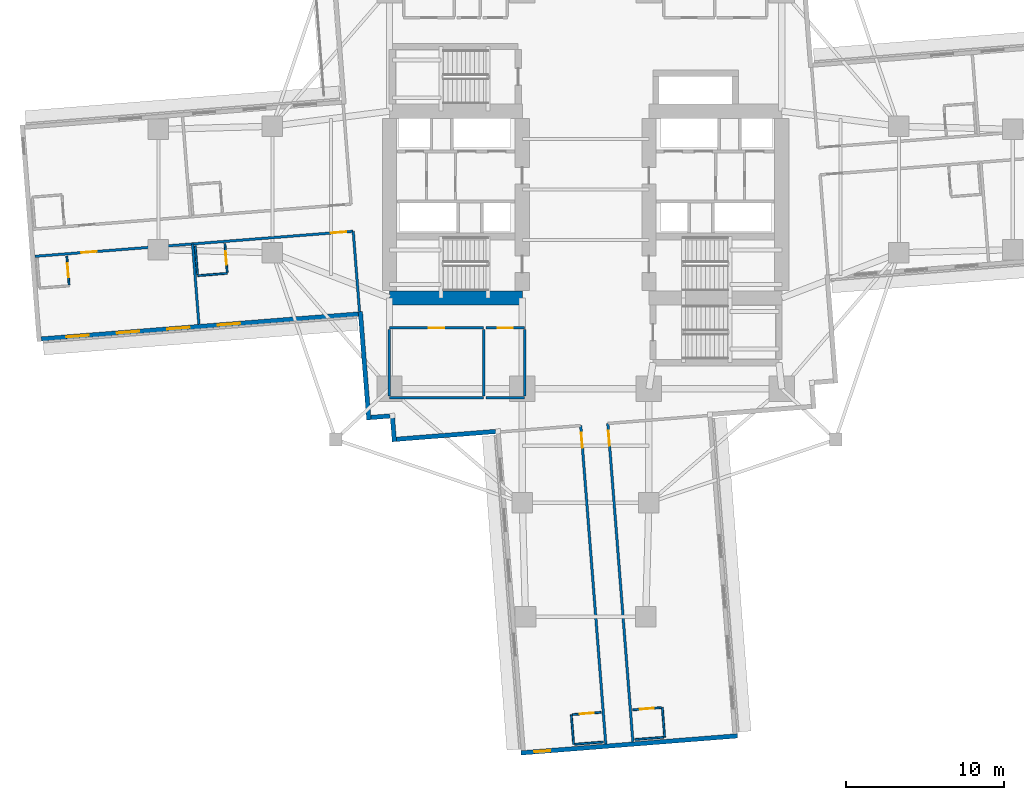
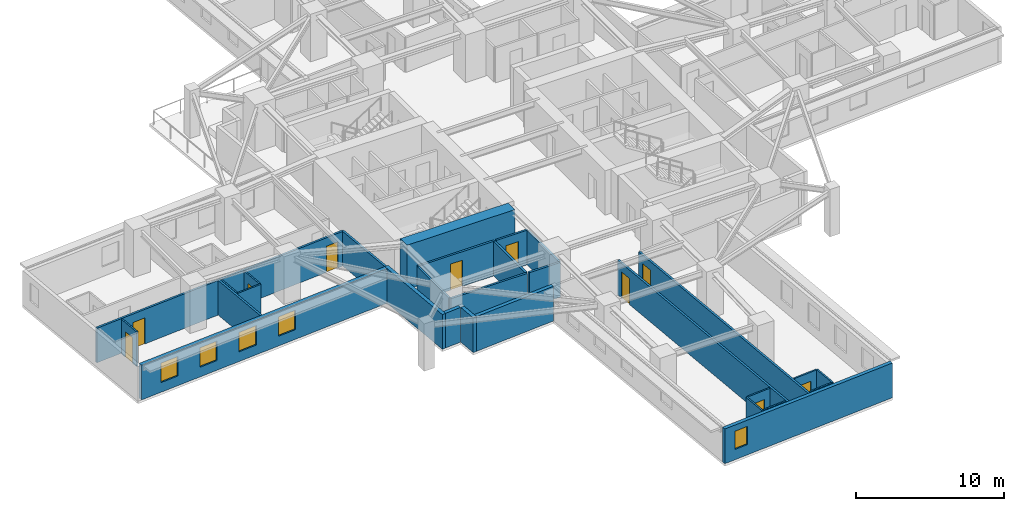
# One storey, part 3 of 13: 29 walls, 10 doors, 5 windows, 15 openings.
"""IFC4 building model written with IfcOpenShell, lengths in metres."""

from ifc_helpers import new_model, si_unit, direction, frame, frame_2d, origin, place, context, subcontext, project, spatial, rectangle, extrude, material, layer, layer_set, type_object, element, fill, save


model = new_model("IFC4")

# Units and contexts
model_context = context("Model", 3, precision=1e-05, world=origin(), true_north=direction((0.0, 1.0)))
body_context = subcontext(model_context, "Body", "Model", "MODEL_VIEW")
ifc_project = project(units=[si_unit("LENGTHUNIT", "METRE"), si_unit("AREAUNIT", "SQUARE_METRE"), si_unit("VOLUMEUNIT", "CUBIC_METRE"), si_unit("PLANEANGLEUNIT", "RADIAN"), si_unit("MASSUNIT", "GRAM", prefix="KILO")], contexts=[model_context])

# Site, building, storey
site_placement = place(None, origin())
site = spatial("IfcSite", under=ifc_project, at=site_placement, CompositionType="ELEMENT")
building_placement = place(site_placement, origin())
building = spatial("IfcBuilding", under=site, at=building_placement, Name="Qingluan Cross Belvedere", CompositionType="ELEMENT")
storey_placement = place(building_placement, frame((0.0, 0.0, 43.199951171875)))
storey = spatial("IfcBuildingStorey", under=building, at=storey_placement, Name="L11", CompositionType="ELEMENT", Elevation=43.199951171875)

# Walls
ifc_material_1 = material(Name="Concrete C70", Category="concrete")
ifc_layer_1 = layer(ifc_material_1, 0.89990234375, Name="CoreShearWall_900")
ifc_layer_set_1 = layer_set([ifc_layer_1], Name="Concrete C70")
wall_type_1 = type_object("IfcWallType", Name="CoreShearWall_900", PredefinedType="SHEAR", material=ifc_layer_set_1)
wall_1_placement = place(storey_placement, frame((-12.39990234375, -6.85009765625, 0.0), z_axis=(0.0, 0.0, 1.0), x_axis=(1.0, 0.0, 0.0)))
element("IfcWall", 1, at=wall_1_placement, inside=storey, type_object=wall_type_1, Name="Split core W shear wall L11-S", PredefinedType="SHEAR", context=body_context, shape_type="SweptSolid", body=[
    extrude(rectangle(XDim=8.39990234375, YDim=0.89990234375, at=frame_2d((4.199951171875, 0.0))), origin(), (0.0, 0.0, 1.0), 3.650146484375),
])
ifc_material_2 = material(Name="Gypsum plasterboard on steel stud acoustic partition", Category="steel")
ifc_layer_2 = layer(ifc_material_2, 0.159912109375, Name="CorridorPartition_160")
ifc_layer_set_2 = layer_set([ifc_layer_2], Name="Gypsum plasterboard on steel stud acoustic partition")
wall_type_2 = type_object("IfcWallType", Name="CorridorPartition_160", PredefinedType="PARTITIONING", material=ifc_layer_set_2)
wall_2_placement = place(storey_placement, frame((-12.39990234375, -13.14990234375, 0.0), z_axis=(0.0, 0.0, 1.0), x_axis=(1.0, 0.0, 0.0)))
element("IfcWall", 2, at=wall_2_placement, inside=storey, type_object=wall_type_2, Name="Partition L11:q_sw1:S", PredefinedType="PARTITIONING", context=body_context, shape_type="SweptSolid", body=[
    extrude(rectangle(XDim=5.949951171875, YDim=0.159912109375, at=frame_2d((2.97509765625, 0.0))), origin(), (0.0, 0.0, 1.0), 2.85009765625),
])

# Wall, opening, door
wall_3_placement = place(storey_placement, frame((-12.39990234375, -8.75, 0.0), z_axis=(0.0, 0.0, 1.0), x_axis=(1.0, 0.0, 0.0)))
wall_3 = element("IfcWall", 3, at=wall_3_placement, inside=storey, type_object=wall_type_2, Name="Partition L11:q_sw1:N", PredefinedType="PARTITIONING", context=body_context, shape_type="SweptSolid", body=[
    extrude(rectangle(XDim=5.949951171875, YDim=0.159912109375, at=frame_2d((2.97509765625, 0.0))), origin(), (0.0, 0.0, 1.0), 2.85009765625),
])
opening_1_placement = place(wall_3_placement, frame((2.4951171875, 0.0, 0.0)))
opening_1 = element("IfcOpeningElement", 4, at=opening_1_placement, cuts=wall_3, Name="Opening GD-10", PredefinedType="OPENING", context=body_context, shape_type="SweptSolid", body=[
    extrude(rectangle(XDim=0.9599609375, YDim=2.14990234375, at=frame_2d((0.47998046875, 1.074951171875))), frame((0.0, 0.08984375, 0.0), z_axis=(0.0, -1.0, 0.0), x_axis=(1.0, 0.0, 0.0)), (0.0, 0.0, 1.0), 0.179931640625),
])
ifc_material_3 = material(Name="Timber oak fire-rated acoustic guestroom door", Category="wood")
door_type_1 = type_object("IfcDoorType", Name="GuestEntryDoor_FD60", OperationType="NOTDEFINED", PredefinedType="DOOR", material=ifc_material_3)
door_1_placement = place(opening_1_placement, origin())
door_1 = element("IfcDoor", 5, at=door_1_placement, inside=storey, type_object=door_type_1, Name="Private boardroom suite L11 door", OperationType="SINGLE_SWING_LEFT", OverallHeight=2.14990234375, OverallWidth=0.9599609375, PredefinedType="DOOR", context=body_context, shape_type="SweptSolid", body=[
    extrude(rectangle(XDim=0.9599609375, YDim=2.14990234375, at=frame_2d((0.47998046875, 1.074951171875))), frame((0.0, 0.02490234375, 0.0), z_axis=(0.0, -1.0, 0.0), x_axis=(1.0, 0.0, 0.0)), (0.0, 0.0, 1.0), 0.050048828125),
])
fill(opening_1, door_1)

# Walls
for number, where, z_axis, x_axis, name in (
    (6, (-12.39990234375, -13.06494140625, 0.0), (0.0, 0.0, 1.0), (0.0, 1.0, 0.0), "Partition L11:q_sw1:W"),
    (7, (-6.449951171875, -13.06494140625, 0.0), (0.0, 0.0, 1.0), (0.0, 1.0, 0.0), "Partition L11:q_sw1:E"),
):
    element("IfcWall", number, at=place(storey_placement, frame(where, z_axis=z_axis, x_axis=x_axis)), inside=storey, type_object=wall_type_2, Name=name, PredefinedType="PARTITIONING", context=body_context, shape_type="SweptSolid", body=[
        extrude(rectangle(XDim=4.22998046875, YDim=0.159912109375, at=frame_2d((2.114990234375, 0.0))), origin(), (0.0, 0.0, 1.0), 2.85009765625),
    ])
wall_4_placement = place(storey_placement, frame((-6.2900390625, -13.14990234375, 0.0), z_axis=(0.0, 0.0, 1.0), x_axis=(1.0, 0.0, 0.0)))
element("IfcWall", 8, at=wall_4_placement, inside=storey, type_object=wall_type_2, Name="Partition L11:q_sw2:S", PredefinedType="PARTITIONING", context=body_context, shape_type="SweptSolid", body=[
    extrude(rectangle(XDim=2.43994140625, YDim=0.159912109375, at=frame_2d((1.219970703125, 0.0))), origin(), (0.0, 0.0, 1.0), 2.85009765625),
])

# Wall, opening, door
wall_5_placement = place(storey_placement, frame((-6.2900390625, -8.75, 0.0), z_axis=(0.0, 0.0, 1.0), x_axis=(1.0, 0.0, 0.0)))
wall_5 = element("IfcWall", 9, at=wall_5_placement, inside=storey, type_object=wall_type_2, Name="Partition L11:q_sw2:N", PredefinedType="PARTITIONING", context=body_context, shape_type="SweptSolid", body=[
    extrude(rectangle(XDim=2.43994140625, YDim=0.159912109375, at=frame_2d((1.219970703125, 0.0))), origin(), (0.0, 0.0, 1.0), 2.85009765625),
])
opening_2_placement = place(wall_5_placement, frame((0.739990234375, 0.0, 0.0)))
opening_2 = element("IfcOpeningElement", 10, at=opening_2_placement, cuts=wall_5, Name="Opening GD-10", PredefinedType="OPENING", context=body_context, shape_type="SweptSolid", body=[
    extrude(rectangle(XDim=0.9599609375, YDim=2.14990234375, at=frame_2d((0.47998046875, 1.074951171875))), frame((0.0, 0.08984375, 0.0), z_axis=(0.0, -1.0, 0.0), x_axis=(1.0, 0.0, 0.0)), (0.0, 0.0, 1.0), 0.179931640625),
])
door_2_placement = place(opening_2_placement, origin())
door_2 = element("IfcDoor", 11, at=door_2_placement, inside=storey, type_object=door_type_1, Name="Southwest reading room L11 door", OperationType="SINGLE_SWING_RIGHT", OverallHeight=2.14990234375, OverallWidth=0.9599609375, PredefinedType="DOOR", context=body_context, shape_type="SweptSolid", body=[
    extrude(rectangle(XDim=0.9599609375, YDim=2.14990234375, at=frame_2d((0.47998046875, 1.074951171875))), frame((0.0, 0.02490234375, 0.0), z_axis=(0.0, -1.0, 0.0), x_axis=(1.0, 0.0, 0.0)), (0.0, 0.0, 1.0), 0.050048828125),
])
fill(opening_2, door_2)

# Wall
wall_6_placement = place(storey_placement, frame((-3.85009765625, -13.06494140625, 0.0), z_axis=(0.0, 0.0, 1.0), x_axis=(0.0, 1.0, 0.0)))
element("IfcWall", 12, at=wall_6_placement, inside=storey, type_object=wall_type_2, Name="Partition L11:q_sw2:E", PredefinedType="PARTITIONING", context=body_context, shape_type="SweptSolid", body=[
    extrude(rectangle(XDim=4.22998046875, YDim=0.159912109375, at=frame_2d((2.114990234375, 0.0))), origin(), (0.0, 0.0, 1.0), 2.85009765625),
])

# Wall, openings, doors
wall_7_placement = place(storey_placement, frame((-14.68798828125, -2.640625, 0.0), z_axis=(0.0, 0.0, 1.0), x_axis=(-0.996917226209, -0.078460461943, 0.0)))
wall_7 = element("IfcWall", 13, at=wall_7_placement, inside=storey, type_object=wall_type_2, Name="Partition L11:W:c1", PredefinedType="PARTITIONING", context=body_context, shape_type="SweptSolid", body=[
    extrude(rectangle(XDim=20.18212890625, YDim=0.159912109375, at=frame_2d((10.091064453125, 0.0))), origin(), (0.0, 0.0, 1.0), 2.85009765625),
])
opening_3_placement = place(wall_7_placement, frame((0.449951171875, 0.0, 0.0)))
opening_3 = element("IfcOpeningElement", 14, at=opening_3_placement, cuts=wall_7, Name="Opening GD-10", PredefinedType="OPENING", context=body_context, shape_type="SweptSolid", body=[
    extrude(rectangle(XDim=0.9599609375, YDim=2.14990234375, at=frame_2d((0.47998046875, 1.074951171875))), frame((0.0, 0.08984375, 0.0), z_axis=(0.0, -1.0, 0.0), x_axis=(1.0, 0.0, 0.0)), (0.0, 0.0, 1.0), 0.179931640625),
])
opening_4_placement = place(wall_7_placement, frame((16.26806640625, 0.0, 0.0)))
opening_4 = element("IfcOpeningElement", 15, at=opening_4_placement, cuts=wall_7, Name="Opening GD-10", PredefinedType="OPENING", context=body_context, shape_type="SweptSolid", body=[
    extrude(rectangle(XDim=0.9599609375, YDim=2.14990234375, at=frame_2d((0.47998046875, 1.074951171875))), frame((0.0, 0.08984375, 0.0), z_axis=(0.0, -1.0, 0.0), x_axis=(1.0, 0.0, 0.0)), (0.0, 0.0, 1.0), 0.179931640625),
])
door_3_placement = place(opening_3_placement, origin())
door_3 = element("IfcDoor", 16, at=door_3_placement, inside=storey, type_object=door_type_1, Name="Guest entry fire door 1107", OperationType="SINGLE_SWING_LEFT", OverallHeight=2.14990234375, OverallWidth=0.9599609375, PredefinedType="DOOR", context=body_context, shape_type="SweptSolid", body=[
    extrude(rectangle(XDim=0.9599609375, YDim=2.14990234375, at=frame_2d((0.47998046875, 1.074951171875))), frame((0.0, 0.02490234375, 0.0), z_axis=(0.0, -1.0, 0.0), x_axis=(1.0, 0.0, 0.0)), (0.0, 0.0, 1.0), 0.050048828125),
])
fill(opening_3, door_3)
door_4_placement = place(opening_4_placement, origin())
door_4 = element("IfcDoor", 17, at=door_4_placement, inside=storey, type_object=door_type_1, Name="Guest entry fire door 1108", OperationType="SINGLE_SWING_LEFT", OverallHeight=2.14990234375, OverallWidth=0.9599609375, PredefinedType="DOOR", context=body_context, shape_type="SweptSolid", body=[
    extrude(rectangle(XDim=0.9599609375, YDim=2.14990234375, at=frame_2d((0.47998046875, 1.074951171875))), frame((0.0, 0.02490234375, 0.0), z_axis=(0.0, -1.0, 0.0), x_axis=(1.0, 0.0, 0.0)), (0.0, 0.0, 1.0), 0.050048828125),
])
fill(opening_4, door_4)

# Walls
wall_8_placement = place(storey_placement, frame((-14.68798828125, -2.640625, 0.0), z_axis=(0.0, 0.0, 1.0), x_axis=(0.078441660381, -0.996918705771, 0.0)))
element("IfcWall", 18, at=wall_8_placement, inside=storey, type_object=wall_type_2, Name="Partition L11:W:s1", PredefinedType="PARTITIONING", context=body_context, shape_type="SweptSolid", body=[
    extrude(rectangle(XDim=5.091796875, YDim=0.159912109375, at=frame_2d((2.5458984375, 0.0))), origin(), (0.0, 0.0, 1.0), 2.85009765625),
])
wall_9_placement = place(storey_placement, frame((-24.841796875, -3.439697265625, 0.0), z_axis=(0.0, 0.0, 1.0), x_axis=(0.078485560772, -0.996915250536, 0.0)))
element("IfcWall", 19, at=wall_9_placement, inside=storey, type_object=wall_type_2, Name="Partition L11:W:d1_0", PredefinedType="PARTITIONING", context=body_context, shape_type="SweptSolid", body=[
    extrude(rectangle(XDim=5.092041015625, YDim=0.159912109375, at=frame_2d((2.5458984375, 0.0))), origin(), (0.0, 0.0, 1.0), 2.85009765625),
])

# Wall, opening, door
wall_10_placement = place(storey_placement, frame((1.404296875, -14.785400390625, 0.0), z_axis=(0.0, 0.0, 1.0), x_axis=(0.078460461943, -0.996917226209, 0.0)))
wall_10 = element("IfcWall", 20, at=wall_10_placement, inside=storey, type_object=wall_type_2, Name="Partition L11:S:c0", PredefinedType="PARTITIONING", context=body_context, shape_type="SweptSolid", body=[
    extrude(rectangle(XDim=20.18212890625, YDim=0.159912109375, at=frame_2d((10.091064453125, 0.0))), origin(), (0.0, 0.0, 1.0), 2.85009765625),
])
opening_5_placement = place(wall_10_placement, frame((0.449951171875, 0.0, 0.0)))
opening_5 = element("IfcOpeningElement", 21, at=opening_5_placement, cuts=wall_10, Name="Opening GD-10", PredefinedType="OPENING", context=body_context, shape_type="SweptSolid", body=[
    extrude(rectangle(XDim=0.9599609375, YDim=2.14990234375, at=frame_2d((0.47998046875, 1.074951171875))), frame((0.0, 0.08984375, 0.0), z_axis=(0.0, -1.0, 0.0), x_axis=(1.0, 0.0, 0.0)), (0.0, 0.0, 1.0), 0.179931640625),
])
door_5_placement = place(opening_5_placement, origin())
door_5 = element("IfcDoor", 22, at=door_5_placement, inside=storey, type_object=door_type_1, Name="Guest entry fire door 1113", OperationType="SINGLE_SWING_LEFT", OverallHeight=2.14990234375, OverallWidth=0.9599609375, PredefinedType="DOOR", context=body_context, shape_type="SweptSolid", body=[
    extrude(rectangle(XDim=0.9599609375, YDim=2.14990234375, at=frame_2d((0.47998046875, 1.074951171875))), frame((0.0, 0.02490234375, 0.0), z_axis=(0.0, -1.0, 0.0), x_axis=(1.0, 0.0, 0.0)), (0.0, 0.0, 1.0), 0.050048828125),
])
fill(opening_5, door_5)

wall_11_placement = place(storey_placement, frame((-0.310302734375, -14.92041015625, 0.0), z_axis=(0.0, 0.0, 1.0), x_axis=(0.078461408156, -0.996917151738, 0.0)))
wall_11 = element("IfcWall", 23, at=wall_11_placement, inside=storey, type_object=wall_type_2, Name="Partition L11:S:c1", PredefinedType="PARTITIONING", context=body_context, shape_type="SweptSolid", body=[
    extrude(rectangle(XDim=20.181884765625, YDim=0.159912109375, at=frame_2d((10.0908203125, 0.0))), origin(), (0.0, 0.0, 1.0), 2.85009765625),
])
opening_6_placement = place(wall_11_placement, frame((0.449951171875, 0.0, 0.0)))
opening_6 = element("IfcOpeningElement", 24, at=opening_6_placement, cuts=wall_11, Name="Opening GD-10", PredefinedType="OPENING", context=body_context, shape_type="SweptSolid", body=[
    extrude(rectangle(XDim=0.9599609375, YDim=2.14990234375, at=frame_2d((0.47998046875, 1.074951171875))), frame((0.0, 0.08984375, 0.0), z_axis=(0.0, -1.0, 0.0), x_axis=(1.0, 0.0, 0.0)), (0.0, 0.0, 1.0), 0.179931640625),
])
door_6_placement = place(opening_6_placement, origin())
door_6 = element("IfcDoor", 25, at=door_6_placement, inside=storey, type_object=door_type_1, Name="Guest entry fire door 1114", OperationType="SINGLE_SWING_LEFT", OverallHeight=2.14990234375, OverallWidth=0.9599609375, PredefinedType="DOOR", context=body_context, shape_type="SweptSolid", body=[
    extrude(rectangle(XDim=0.9599609375, YDim=2.14990234375, at=frame_2d((0.47998046875, 1.074951171875))), frame((0.0, 0.02490234375, 0.0), z_axis=(0.0, -1.0, 0.0), x_axis=(1.0, 0.0, 0.0)), (0.0, 0.0, 1.0), 0.050048828125),
])
fill(opening_6, door_6)

ifc_material_4 = material(Name="Moisture-resistant gypsum board lining")
ifc_layer_3 = layer(ifc_material_4, 0.1201171875, Name="EnsuiteWetPartition_120")
ifc_layer_set_3 = layer_set([ifc_layer_3], Name="Moisture-resistant gypsum board lining")
wall_type_3 = type_object("IfcWallType", Name="EnsuiteWetPartition_120", PredefinedType="PARTITIONING", material=ifc_layer_set_3)
wall_12_placement = place(storey_placement, frame((-22.654296875, -5.233642578125, 0.0), z_axis=(0.0, 0.0, 1.0), x_axis=(-0.0784709492, 0.996916400774, 0.0)))
wall_12 = element("IfcWall", 26, at=wall_12_placement, inside=storey, type_object=wall_type_3, Name="Partition L11:W:bs1_0", PredefinedType="PARTITIONING", context=body_context, shape_type="SweptSolid", body=[
    extrude(rectangle(XDim=1.820068359375, YDim=0.1201171875, at=frame_2d((0.91015625, 0.0))), origin(), (0.0, 0.0, 1.0), 2.85009765625),
])
opening_7_placement = place(wall_12_placement, frame((0.469970703125, 0.0, 0.0)))
opening_7 = element("IfcOpeningElement", 27, at=opening_7_placement, cuts=wall_12, Name="Opening BD-09", PredefinedType="OPENING", context=body_context, shape_type="SweptSolid", body=[
    extrude(rectangle(XDim=0.8798828125, YDim=2.10009765625, at=frame_2d((0.43994140625, 1.050048828125))), frame((0.0, 0.070068359375, 0.0), z_axis=(0.0, -1.0, 0.0), x_axis=(1.0, 0.0, 0.0)), (0.0, 0.0, 1.0), 0.14013671875),
])
ifc_material_5 = material(Name="Moisture-sealed timber en-suite door", Category="wood")
door_type_2 = type_object("IfcDoorType", Name="BathroomDoor_880", OperationType="NOTDEFINED", PredefinedType="DOOR", material=ifc_material_5)
door_7_placement = place(opening_7_placement, origin())
door_7 = element("IfcDoor", 28, at=door_7_placement, inside=storey, type_object=door_type_2, Name="Bathroom door 1107", OperationType="SINGLE_SWING_RIGHT", OverallHeight=2.10009765625, OverallWidth=0.8798828125, PredefinedType="DOOR", context=body_context, shape_type="SweptSolid", body=[
    extrude(rectangle(XDim=0.8798828125, YDim=2.10009765625, at=frame_2d((0.43994140625, 1.050048828125))), frame((0.0, 0.02490234375, 0.0), z_axis=(0.0, -1.0, 0.0), x_axis=(1.0, 0.0, 0.0)), (0.0, 0.0, 1.0), 0.050048828125),
])
fill(opening_7, door_7)

# Walls
wall_13_placement = place(storey_placement, frame((-24.5283203125, -5.381103515625, 0.0), z_axis=(0.0, 0.0, 1.0), x_axis=(-0.0784709492, 0.996916400774, 0.0)))
element("IfcWall", 29, at=wall_13_placement, inside=storey, type_object=wall_type_3, Name="Partition L11:W:bw1_0", PredefinedType="PARTITIONING", context=body_context, shape_type="SweptSolid", body=[
    extrude(rectangle(XDim=1.820068359375, YDim=0.1201171875, at=frame_2d((0.91015625, 0.0))), origin(), (0.0, 0.0, 1.0), 2.85009765625),
])
wall_14_placement = place(storey_placement, frame((-22.649169921875, -5.29833984375, 0.0), z_axis=(0.0, 0.0, 1.0), x_axis=(-0.99691849475, -0.078444342213, 0.0)))
element("IfcWall", 30, at=wall_14_placement, inside=storey, type_object=wall_type_3, Name="Partition L11:W:bc1_0", PredefinedType="PARTITIONING", context=body_context, shape_type="SweptSolid", body=[
    extrude(rectangle(XDim=1.8798828125, YDim=0.1201171875, at=frame_2d((0.93994140625, 0.0))), origin(), (0.0, 0.0, 1.0), 2.85009765625),
])

# Wall, opening, door
wall_15_placement = place(storey_placement, frame((-32.648193359375, -6.02001953125, 0.0), z_axis=(0.0, 0.0, 1.0), x_axis=(-0.078481444107, 0.996915574626, 0.0)))
wall_15 = element("IfcWall", 31, at=wall_15_placement, inside=storey, type_object=wall_type_3, Name="Partition L11:W:bs1_1", PredefinedType="PARTITIONING", context=body_context, shape_type="SweptSolid", body=[
    extrude(rectangle(XDim=1.81982421875, YDim=0.1201171875, at=frame_2d((0.909912109375, 0.0))), origin(), (0.0, 0.0, 1.0), 2.85009765625),
])
opening_8_placement = place(wall_15_placement, frame((0.469970703125, 0.0, 0.0)))
opening_8 = element("IfcOpeningElement", 32, at=opening_8_placement, cuts=wall_15, Name="Opening BD-09", PredefinedType="OPENING", context=body_context, shape_type="SweptSolid", body=[
    extrude(rectangle(XDim=0.8798828125, YDim=2.10009765625, at=frame_2d((0.43994140625, 1.050048828125))), frame((0.0, 0.070068359375, 0.0), z_axis=(0.0, -1.0, 0.0), x_axis=(1.0, 0.0, 0.0)), (0.0, 0.0, 1.0), 0.14013671875),
])
door_8_placement = place(opening_8_placement, origin())
door_8 = element("IfcDoor", 33, at=door_8_placement, inside=storey, type_object=door_type_2, Name="Bathroom door 1108", OperationType="SINGLE_SWING_RIGHT", OverallHeight=2.10009765625, OverallWidth=0.8798828125, PredefinedType="DOOR", context=body_context, shape_type="SweptSolid", body=[
    extrude(rectangle(XDim=0.8798828125, YDim=2.10009765625, at=frame_2d((0.43994140625, 1.050048828125))), frame((0.0, 0.02490234375, 0.0), z_axis=(0.0, -1.0, 0.0), x_axis=(1.0, 0.0, 0.0)), (0.0, 0.0, 1.0), 0.050048828125),
])
fill(opening_8, door_8)

wall_16_placement = place(storey_placement, frame((2.969482421875, -32.888427734375, 0.0), z_axis=(0.0, 0.0, 1.0), x_axis=(0.996916400774, 0.0784709492, 0.0)))
wall_16 = element("IfcWall", 34, at=wall_16_placement, inside=storey, type_object=wall_type_3, Name="Partition L11:S:bs0_0", PredefinedType="PARTITIONING", context=body_context, shape_type="SweptSolid", body=[
    extrude(rectangle(XDim=1.820068359375, YDim=0.1201171875, at=frame_2d((0.91015625, 0.0))), origin(), (0.0, 0.0, 1.0), 2.85009765625),
])
opening_9_placement = place(wall_16_placement, frame((0.469970703125, 0.0, 0.0)))
opening_9 = element("IfcOpeningElement", 35, at=opening_9_placement, cuts=wall_16, Name="Opening BD-09", PredefinedType="OPENING", context=body_context, shape_type="SweptSolid", body=[
    extrude(rectangle(XDim=0.8798828125, YDim=2.10009765625, at=frame_2d((0.43994140625, 1.050048828125))), frame((0.0, 0.070068359375, 0.0), z_axis=(0.0, -1.0, 0.0), x_axis=(1.0, 0.0, 0.0)), (0.0, 0.0, 1.0), 0.14013671875),
])
door_9_placement = place(opening_9_placement, origin())
door_9 = element("IfcDoor", 36, at=door_9_placement, inside=storey, type_object=door_type_2, Name="Bathroom door 1113", OperationType="SINGLE_SWING_RIGHT", OverallHeight=2.10009765625, OverallWidth=0.8798828125, PredefinedType="DOOR", context=body_context, shape_type="SweptSolid", body=[
    extrude(rectangle(XDim=0.8798828125, YDim=2.10009765625, at=frame_2d((0.43994140625, 1.050048828125))), frame((0.0, 0.02490234375, 0.0), z_axis=(0.0, -1.0, 0.0), x_axis=(1.0, 0.0, 0.0)), (0.0, 0.0, 1.0), 0.050048828125),
])
fill(opening_9, door_9)

# Walls
wall_17_placement = place(storey_placement, frame((3.1171875, -34.7626953125, 0.0), z_axis=(0.0, 0.0, 1.0), x_axis=(0.996915574626, 0.078481444107, 0.0)))
element("IfcWall", 37, at=wall_17_placement, inside=storey, type_object=wall_type_3, Name="Partition L11:S:bw0_0", PredefinedType="PARTITIONING", context=body_context, shape_type="SweptSolid", body=[
    extrude(rectangle(XDim=1.81982421875, YDim=0.1201171875, at=frame_2d((0.909912109375, 0.0))), origin(), (0.0, 0.0, 1.0), 2.85009765625),
])
wall_18_placement = place(storey_placement, frame((4.8486328125, -32.740478515625, 0.0), z_axis=(0.0, 0.0, 1.0), x_axis=(0.07843418698, -0.996919293781, 0.0)))
element("IfcWall", 38, at=wall_18_placement, inside=storey, type_object=wall_type_3, Name="Partition L11:S:bn0_0", PredefinedType="PARTITIONING", context=body_context, shape_type="SweptSolid", body=[
    extrude(rectangle(XDim=1.880126953125, YDim=0.1201171875, at=frame_2d((0.93994140625, 0.0))), origin(), (0.0, 0.0, 1.0), 2.85009765625),
])

# Wall, opening, door
wall_19_placement = place(storey_placement, frame((-0.838623046875, -33.18798828125, 0.0), z_axis=(0.0, 0.0, 1.0), x_axis=(0.996926062126, 0.078348112001, 0.0)))
wall_19 = element("IfcWall", 39, at=wall_19_placement, inside=storey, type_object=wall_type_3, Name="Partition L11:S:bs1_0", PredefinedType="PARTITIONING", context=body_context, shape_type="SweptSolid", body=[
    extrude(rectangle(XDim=1.81982421875, YDim=0.1201171875, at=frame_2d((0.909912109375, 0.0))), origin(), (0.0, 0.0, 1.0), 2.85009765625),
])
opening_10_placement = place(wall_19_placement, frame((0.469970703125, 0.0, 0.0)))
opening_10 = element("IfcOpeningElement", 40, at=opening_10_placement, cuts=wall_19, Name="Opening BD-09", PredefinedType="OPENING", context=body_context, shape_type="SweptSolid", body=[
    extrude(rectangle(XDim=0.8798828125, YDim=2.10009765625, at=frame_2d((0.43994140625, 1.050048828125))), frame((0.0, 0.070068359375, 0.0), z_axis=(0.0, -1.0, 0.0), x_axis=(1.0, 0.0, 0.0)), (0.0, 0.0, 1.0), 0.14013671875),
])
door_10_placement = place(opening_10_placement, origin())
door_10 = element("IfcDoor", 41, at=door_10_placement, inside=storey, type_object=door_type_2, Name="Bathroom door 1114", OperationType="SINGLE_SWING_RIGHT", OverallHeight=2.10009765625, OverallWidth=0.8798828125, PredefinedType="DOOR", context=body_context, shape_type="SweptSolid", body=[
    extrude(rectangle(XDim=0.8798828125, YDim=2.10009765625, at=frame_2d((0.43994140625, 1.050048828125))), frame((0.0, 0.02490234375, 0.0), z_axis=(0.0, -1.0, 0.0), x_axis=(1.0, 0.0, 0.0)), (0.0, 0.0, 1.0), 0.050048828125),
])
fill(opening_10, door_10)

# Walls
wall_20_placement = place(storey_placement, frame((-0.691162109375, -35.062255859375, 0.0), z_axis=(0.0, 0.0, 1.0), x_axis=(0.996916400774, 0.0784709492, 0.0)))
element("IfcWall", 42, at=wall_20_placement, inside=storey, type_object=wall_type_3, Name="Partition L11:S:bw1_0", PredefinedType="PARTITIONING", context=body_context, shape_type="SweptSolid", body=[
    extrude(rectangle(XDim=1.820068359375, YDim=0.1201171875, at=frame_2d((0.91015625, 0.0))), origin(), (0.0, 0.0, 1.0), 2.85009765625),
])
wall_21_placement = place(storey_placement, frame((-0.903564453125, -33.193115234375, 0.0), z_axis=(0.0, 0.0, 1.0), x_axis=(0.07843418698, -0.996919293781, 0.0)))
element("IfcWall", 43, at=wall_21_placement, inside=storey, type_object=wall_type_3, Name="Partition L11:S:bc1_0", PredefinedType="PARTITIONING", context=body_context, shape_type="SweptSolid", body=[
    extrude(rectangle(XDim=1.880126953125, YDim=0.1201171875, at=frame_2d((0.93994140625, 0.0))), origin(), (0.0, 0.0, 1.0), 2.85009765625),
])

# Wall, openings, windows
ifc_material_6 = material(Name="Precast concrete C45", Category="concrete")
ifc_layer_4 = layer(ifc_material_6, 0.280029296875, Name="PrecastFacadeWall_280")
ifc_layer_set_4 = layer_set([ifc_layer_4], Name="Precast concrete C45")
wall_type_4 = type_object("IfcWallType", Name="PrecastFacadeWall_280", PredefinedType="STANDARD", material=ifc_layer_set_4)
wall_22_placement = place(storey_placement, frame((-34.40478515625, -9.448486328125, 0.0), z_axis=(0.0, 0.0, 1.0), x_axis=(0.996917828963, 0.078452802979, 0.0)))
wall_22 = element("IfcWall", 44, at=wall_22_placement, inside=storey, type_object=wall_type_4, Name="Facade wall L11-WB", PredefinedType="STANDARD", context=body_context, shape_type="SweptSolid", body=[
    extrude(rectangle(XDim=20.10009765625, YDim=0.280029296875, at=frame_2d((10.050048828125, 0.0))), origin(), (0.0, 0.0, 1.0), 2.860107421875),
])
opening_11_placement = place(wall_22_placement, frame((1.60009765625, 0.0, 0.800048828125)))
opening_11 = element("IfcOpeningElement", 45, at=opening_11_placement, cuts=wall_22, Name="Opening W-01", PredefinedType="OPENING", context=body_context, shape_type="SweptSolid", body=[
    extrude(rectangle(XDim=1.39990234375, YDim=1.60009765625, at=frame_2d((0.699951171875, 0.800048828125))), frame((0.0, 0.14990234375, 0.0), z_axis=(0.0, -1.0, 0.0), x_axis=(1.0, 0.0, 0.0)), (0.0, 0.0, 1.0), 0.300048828125),
])
opening_12_placement = place(wall_22_placement, frame((4.800048828125, 0.0, 0.800048828125)))
opening_12 = element("IfcOpeningElement", 46, at=opening_12_placement, cuts=wall_22, Name="Opening W-01", PredefinedType="OPENING", context=body_context, shape_type="SweptSolid", body=[
    extrude(rectangle(XDim=1.39990234375, YDim=1.60009765625, at=frame_2d((0.699951171875, 0.800048828125))), frame((0.0, 0.14990234375, 0.0), z_axis=(0.0, -1.0, 0.0), x_axis=(1.0, 0.0, 0.0)), (0.0, 0.0, 1.0), 0.300048828125),
])
opening_13_placement = place(wall_22_placement, frame((8.0, 0.0, 0.800048828125)))
opening_13 = element("IfcOpeningElement", 47, at=opening_13_placement, cuts=wall_22, Name="Opening W-01", PredefinedType="OPENING", context=body_context, shape_type="SweptSolid", body=[
    extrude(rectangle(XDim=1.39990234375, YDim=1.60009765625, at=frame_2d((0.699951171875, 0.800048828125))), frame((0.0, 0.14990234375, 0.0), z_axis=(0.0, -1.0, 0.0), x_axis=(1.0, 0.0, 0.0)), (0.0, 0.0, 1.0), 0.300048828125),
])
opening_14_placement = place(wall_22_placement, frame((11.199951171875, 0.0, 0.800048828125)))
opening_14 = element("IfcOpeningElement", 48, at=opening_14_placement, cuts=wall_22, Name="Opening W-01", PredefinedType="OPENING", context=body_context, shape_type="SweptSolid", body=[
    extrude(rectangle(XDim=1.39990234375, YDim=1.60009765625, at=frame_2d((0.699951171875, 0.800048828125))), frame((0.0, 0.14990234375, 0.0), z_axis=(0.0, -1.0, 0.0), x_axis=(1.0, 0.0, 0.0)), (0.0, 0.0, 1.0), 0.300048828125),
])
ifc_material_7 = material(Name="Thermally broken triple Low-E glass in aluminium frame", Category="aluminium")
window_type_1 = type_object("IfcWindowType", Name="TriRibbonWin_1400x1600", PartitioningType="SINGLE_PANEL", PredefinedType="WINDOW", material=ifc_material_7)
window_1_placement = place(opening_11_placement, origin())
window_1 = element("IfcWindow", 49, at=window_1_placement, inside=storey, type_object=window_type_1, Name="Ribbon window L11-WB-1", OverallHeight=1.60009765625, OverallWidth=1.39990234375, PartitioningType="SINGLE_PANEL", PredefinedType="WINDOW", context=body_context, shape_type="SweptSolid", body=[
    extrude(rectangle(XDim=1.39990234375, YDim=1.60009765625, at=frame_2d((0.699951171875, 0.800048828125))), frame((0.0, 0.030029296875, 0.0), z_axis=(0.0, -1.0, 0.0), x_axis=(1.0, 0.0, 0.0)), (0.0, 0.0, 1.0), 0.06005859375),
])
fill(opening_11, window_1)
window_2_placement = place(opening_12_placement, origin())
window_2 = element("IfcWindow", 50, at=window_2_placement, inside=storey, type_object=window_type_1, Name="Ribbon window L11-WB-2", OverallHeight=1.60009765625, OverallWidth=1.39990234375, PartitioningType="SINGLE_PANEL", PredefinedType="WINDOW", context=body_context, shape_type="SweptSolid", body=[
    extrude(rectangle(XDim=1.39990234375, YDim=1.60009765625, at=frame_2d((0.699951171875, 0.800048828125))), frame((0.0, 0.030029296875, 0.0), z_axis=(0.0, -1.0, 0.0), x_axis=(1.0, 0.0, 0.0)), (0.0, 0.0, 1.0), 0.06005859375),
])
fill(opening_12, window_2)
window_3_placement = place(opening_13_placement, origin())
window_3 = element("IfcWindow", 51, at=window_3_placement, inside=storey, type_object=window_type_1, Name="Ribbon window L11-WB-3", OverallHeight=1.60009765625, OverallWidth=1.39990234375, PartitioningType="SINGLE_PANEL", PredefinedType="WINDOW", context=body_context, shape_type="SweptSolid", body=[
    extrude(rectangle(XDim=1.39990234375, YDim=1.60009765625, at=frame_2d((0.699951171875, 0.800048828125))), frame((0.0, 0.030029296875, 0.0), z_axis=(0.0, -1.0, 0.0), x_axis=(1.0, 0.0, 0.0)), (0.0, 0.0, 1.0), 0.06005859375),
])
fill(opening_13, window_3)
window_4_placement = place(opening_14_placement, origin())
window_4 = element("IfcWindow", 52, at=window_4_placement, inside=storey, type_object=window_type_1, Name="Ribbon window L11-WB-4", OverallHeight=1.60009765625, OverallWidth=1.39990234375, PartitioningType="SINGLE_PANEL", PredefinedType="WINDOW", context=body_context, shape_type="SweptSolid", body=[
    extrude(rectangle(XDim=1.39990234375, YDim=1.60009765625, at=frame_2d((0.699951171875, 0.800048828125))), frame((0.0, 0.030029296875, 0.0), z_axis=(0.0, -1.0, 0.0), x_axis=(1.0, 0.0, 0.0)), (0.0, 0.0, 1.0), 0.06005859375),
])
fill(opening_14, window_4)

# Wall, opening, window
wall_23_placement = place(storey_placement, frame((-4.07861328125, -35.60986328125, 0.0), z_axis=(0.0, 0.0, 1.0), x_axis=(0.996916198482, 0.078473519122, 0.0)))
wall_23 = element("IfcWall", 53, at=wall_23_placement, inside=storey, type_object=wall_type_4, Name="Arm tip precast facade wall L11-S", PredefinedType="STANDARD", context=body_context, shape_type="SweptSolid", body=[
    extrude(rectangle(XDim=13.719970703125, YDim=0.280029296875, at=frame_2d((6.85986328125, 0.0))), origin(), (0.0, 0.0, 1.0), 2.860107421875),
])
opening_15_placement = place(wall_23_placement, frame((0.85009765625, 0.0, 0.85009765625)))
opening_15 = element("IfcOpeningElement", 54, at=opening_15_placement, cuts=wall_23, Name="Opening W-03", PredefinedType="OPENING", context=body_context, shape_type="SweptSolid", body=[
    extrude(rectangle(XDim=1.0, YDim=1.5, at=frame_2d((0.5, 0.75))), frame((0.0, 0.14990234375, 0.0), z_axis=(0.0, -1.0, 0.0), x_axis=(1.0, 0.0, 0.0)), (0.0, 0.0, 1.0), 0.300048828125),
])
ifc_material_8 = material(Name="Thermally broken triple Low-E glass in aluminium frame", Category="aluminium")
window_type_2 = type_object("IfcWindowType", Name="TriApexWin_1000x1500", PartitioningType="SINGLE_PANEL", PredefinedType="WINDOW", material=ifc_material_8)
window_5_placement = place(opening_15_placement, origin())
window_5 = element("IfcWindow", 55, at=window_5_placement, inside=storey, type_object=window_type_2, Name="Arm tip triangular window L11-S", OverallHeight=1.5, OverallWidth=1.0, PartitioningType="SINGLE_PANEL", PredefinedType="WINDOW", context=body_context, shape_type="SweptSolid", body=[
    extrude(rectangle(XDim=1.0, YDim=1.5, at=frame_2d((0.5, 0.75))), frame((0.0, 0.030029296875, 0.0), z_axis=(0.0, -1.0, 0.0), x_axis=(1.0, 0.0, 0.0)), (0.0, 0.0, 1.0), 0.06005859375),
])
fill(opening_15, window_5)

# Walls
wall_24_placement = place(storey_placement, frame((-14.238037109375, -7.720947265625, 0.0), z_axis=(0.0, 0.0, 1.0), x_axis=(0.078438149236, -0.996918982036, 0.0)))
element("IfcWall", 56, at=wall_24_placement, inside=storey, type_object=wall_type_4, Name="Corner wall L11-SW1", PredefinedType="STANDARD", context=body_context, shape_type="SweptSolid", body=[
    extrude(rectangle(XDim=6.860107421875, YDim=0.280029296875, at=frame_2d((3.43017578125, 0.0))), origin(), (0.0, 0.0, 1.0), 2.860107421875),
])
wall_25_placement = place(storey_placement, frame((-13.5712890625, -14.4091796875, 0.0), z_axis=(0.0, 0.0, 1.0), x_axis=(0.996918772, 0.078440818672, 0.0)))
element("IfcWall", 57, at=wall_25_placement, inside=storey, type_object=wall_type_4, Name="Corner wall L11-SW2", PredefinedType="STANDARD", context=body_context, shape_type="SweptSolid", body=[
    extrude(rectangle(XDim=1.219970703125, YDim=0.280029296875, at=frame_2d((0.60986328125, 0.0))), origin(), (0.0, 0.0, 1.0), 2.860107421875),
])
wall_26_placement = place(storey_placement, frame((-12.20458984375, -14.442138671875, 0.0), z_axis=(0.0, 0.0, 1.0), x_axis=(0.078451338629, -0.9969179442, 0.0)))
element("IfcWall", 58, at=wall_26_placement, inside=storey, type_object=wall_type_4, Name="Corner wall L11-SW3", PredefinedType="STANDARD", context=body_context, shape_type="SweptSolid", body=[
    extrude(rectangle(XDim=1.5, YDim=0.280029296875, at=frame_2d((0.75, 0.0))), origin(), (0.0, 0.0, 1.0), 2.860107421875),
])
wall_27_placement = place(storey_placement, frame((-11.958251953125, -15.786865234375, 0.0), z_axis=(0.0, 0.0, 1.0), x_axis=(0.996916125428, 0.078474447191, 0.0)))
element("IfcWall", 59, at=wall_27_placement, inside=storey, type_object=wall_type_4, Name="Corner wall L11-SW4", PredefinedType="STANDARD", context=body_context, shape_type="SweptSolid", body=[
    extrude(rectangle(XDim=6.300048828125, YDim=0.280029296875, at=frame_2d((3.14990234375, 0.0))), origin(), (0.0, 0.0, 1.0), 2.860107421875),
])

save(model, "model.ifc")
